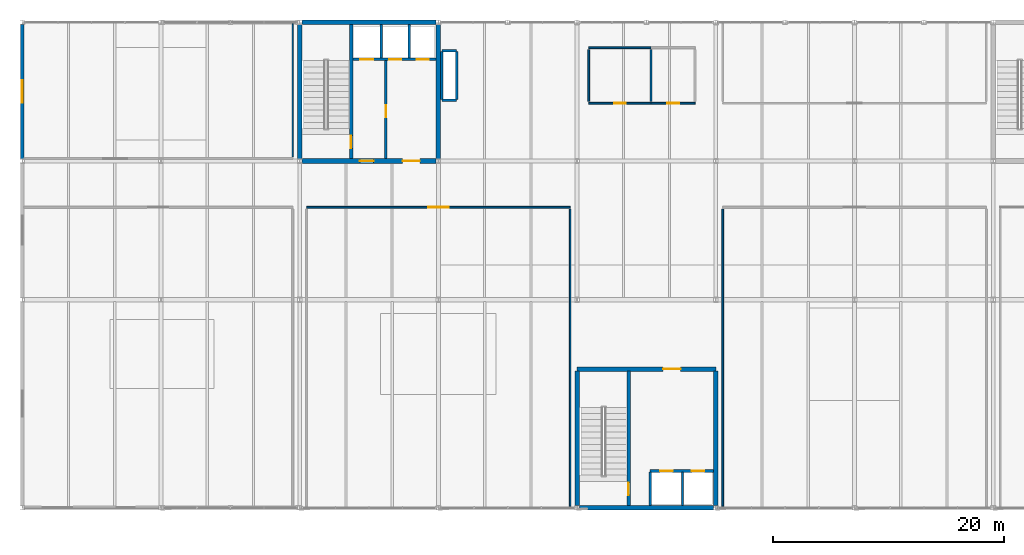
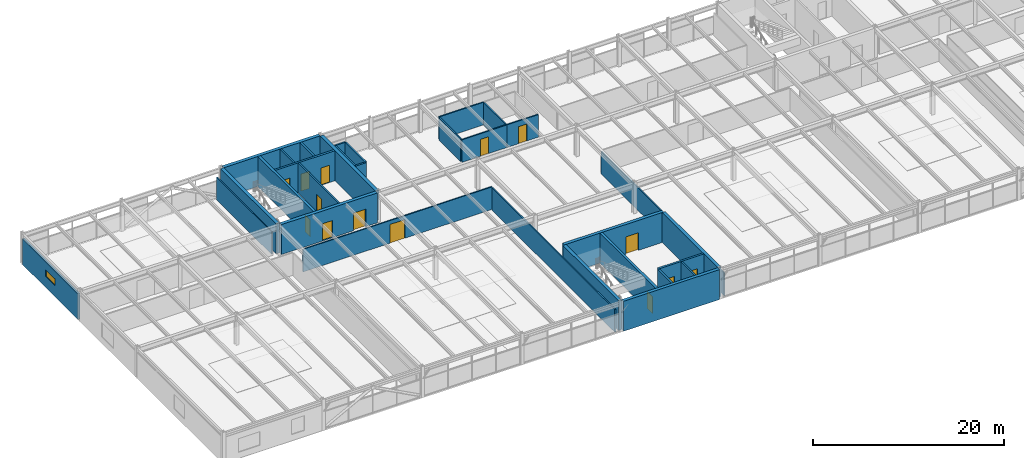
# One storey, part 44 of 51: 31 walls, 14 doors, 1 window, 15 openings.
"""IFC4 building model written with IfcOpenShell, lengths in metres."""

from ifc_helpers import new_model, si_unit, direction, frame, frame_2d, origin, place, context, subcontext, project, spatial, rectangle, extrude, material, layer, layer_set, type_object, element, fill, save


model = new_model("IFC4")

# Units and contexts
model_context = context("Model", 3, precision=1e-05, world=origin(), true_north=direction((0.0, 1.0)))
body_context = subcontext(model_context, "Body", "Model", "MODEL_VIEW")
ifc_project = project(units=[si_unit("LENGTHUNIT", "METRE"), si_unit("AREAUNIT", "SQUARE_METRE"), si_unit("VOLUMEUNIT", "CUBIC_METRE"), si_unit("PLANEANGLEUNIT", "RADIAN"), si_unit("MASSUNIT", "GRAM", prefix="KILO")], contexts=[model_context])

# Site, building, storey
site_placement = place(None, origin())
site = spatial("IfcSite", under=ifc_project, at=site_placement, CompositionType="ELEMENT")
building_placement = place(site_placement, origin())
building = spatial("IfcBuilding", under=site, at=building_placement, Name="Girod Span Mobility Hub", CompositionType="ELEMENT")
storey_placement = place(building_placement, frame((0.0, 0.0, 41.60009765625)))
storey = spatial("IfcBuildingStorey", under=building, at=storey_placement, Name="L10", CompositionType="ELEMENT", Elevation=41.60009765625)

# Wall
ifc_material_1 = material(Name="Concrete C40/50", Category="concrete")
ifc_layer_1 = layer(ifc_material_1, 0.3798828125)
ifc_layer_set_1 = layer_set([ifc_layer_1], Name="Concrete C40/50")
wall_type_1 = type_object("IfcWallType", Name="W-CW-380", PredefinedType="SHEAR", material=ifc_layer_set_1)
wall_1_placement = place(storey_placement, frame((72.194091796875, 27.0, 0.0), z_axis=(0.0, 0.0, 1.0), x_axis=(1.0, 0.0, 0.0)))
element("IfcWall", 1, at=wall_1_placement, inside=storey, type_object=wall_type_1, Name="Core C3 Shear Wall S L10", PredefinedType="SHEAR", context=body_context, shape_type="SweptSolid", body=[
    extrude(rectangle(XDim=11.61181640625, YDim=0.3798828125, at=frame_2d((5.805908203125, 0.0))), origin(), (0.0, 0.0, 1.0), 3.827880859375),
])

# Wall, opening, door
wall_2_placement = place(storey_placement, frame((72.0, 39.0, 0.0), z_axis=(0.0, 0.0, 1.0), x_axis=(1.0, 0.0, 0.0)))
wall_2 = element("IfcWall", 2, at=wall_2_placement, inside=storey, type_object=wall_type_1, Name="Core C3 Shear Wall N L10", PredefinedType="SHEAR", context=body_context, shape_type="SweptSolid", body=[
    extrude(rectangle(XDim=12.0, YDim=0.3798828125, at=frame_2d((6.0, 0.0))), origin(), (0.0, 0.0, 1.0), 3.827880859375),
])
opening_1_placement = place(wall_2_placement, frame((7.449951171875, 0.0, 0.0)))
opening_1 = element("IfcOpeningElement", 3, at=opening_1_placement, cuts=wall_2, Name="Opening D-LB-C3-L10", PredefinedType="OPENING", context=body_context, shape_type="SweptSolid", body=[
    extrude(rectangle(XDim=1.5, YDim=2.25, at=frame_2d((0.75, 1.125))), frame((0.0, 0.204833984375, 0.0), z_axis=(0.0, -1.0, 0.0), x_axis=(1.0, 0.0, 0.0)), (0.0, 0.0, 1.0), 0.409912109375),
])
ifc_material_2 = material(Name="Fire-Rated Insulated Hollow Metal Steel", Category="steel")
door_type_1 = type_object("IfcDoorType", Name="DT-FD-03", OperationType="DOUBLE_DOOR_SINGLE_SWING", PredefinedType="DOOR", material=ifc_material_2)
door_1_placement = place(opening_1_placement, origin())
door_1 = element("IfcDoor", 4, at=door_1_placement, inside=storey, type_object=door_type_1, Name="Core C3 Lobby Door L10", OperationType="DOUBLE_DOOR_SINGLE_SWING", OverallHeight=2.25, OverallWidth=1.5, PredefinedType="DOOR", context=body_context, shape_type="SweptSolid", body=[
    extrude(rectangle(XDim=1.5, YDim=2.25, at=frame_2d((0.75, 1.125))), frame((0.0, 0.02490234375, 0.0), z_axis=(0.0, -1.0, 0.0), x_axis=(1.0, 0.0, 0.0)), (0.0, 0.0, 1.0), 0.050048828125),
])
fill(opening_1, door_1)

# Walls
for number, where, z_axis, x_axis, name in (
    (5, (72.0, 27.1845703125, 0.0), (0.0, 0.0, 1.0), (0.0, 1.0, 0.0), "Core C3 Shear Wall W L10"),
    (6, (84.0, 27.1845703125, 0.0), (0.0, 0.0, 1.0), (0.0, 1.0, 0.0), "Core C3 Shear Wall E L10"),
):
    element("IfcWall", number, at=place(storey_placement, frame(where, z_axis=z_axis, x_axis=x_axis)), inside=storey, type_object=wall_type_1, Name=name, PredefinedType="SHEAR", context=body_context, shape_type="SweptSolid", body=[
        extrude(rectangle(XDim=11.62841796875, YDim=0.3798828125, at=frame_2d((5.814208984375, 0.0))), origin(), (0.0, 0.0, 1.0), 3.827880859375),
    ])

# Wall, openings, doors
ifc_material_3 = material(Name="Concrete C40/50", Category="concrete")
ifc_layer_2 = layer(ifc_material_3, 0.39990234375)
ifc_layer_set_2 = layer_set([ifc_layer_2], Name="Concrete C40/50")
wall_type_2 = type_object("IfcWallType", Name="W-CW-400", PredefinedType="SHEAR", material=ifc_layer_set_2)
wall_3_placement = place(storey_placement, frame((48.196533203125, 57.0, 0.0), z_axis=(0.0, 0.0, 1.0), x_axis=(1.0, 0.0, 0.0)))
wall_3 = element("IfcWall", 7, at=wall_3_placement, inside=storey, type_object=wall_type_2, Name="Core C1 Shear Wall S L10", PredefinedType="SHEAR", context=body_context, shape_type="SweptSolid", body=[
    extrude(rectangle(XDim=11.60693359375, YDim=0.39990234375, at=frame_2d((5.803466796875, 0.0))), origin(), (0.0, 0.0, 1.0), 3.827880859375),
])
opening_2_placement = place(wall_3_placement, frame((5.00390625, 0.0, 0.0)))
opening_2 = element("IfcOpeningElement", 8, at=opening_2_placement, cuts=wall_3, Name="Opening D-FL-C1-L10", PredefinedType="OPENING", context=body_context, shape_type="SweptSolid", body=[
    extrude(rectangle(XDim=1.199951171875, YDim=2.199951171875, at=frame_2d((0.60009765625, 1.10009765625))), frame((0.0, 0.21484375, 0.0), z_axis=(0.0, -1.0, 0.0), x_axis=(1.0, 0.0, 0.0)), (0.0, 0.0, 1.0), 0.429931640625),
])
opening_3_placement = place(wall_3_placement, frame((8.702880859375, 0.0, 0.0)))
opening_3 = element("IfcOpeningElement", 9, at=opening_3_placement, cuts=wall_3, Name="Opening D-LB-C1-L10", PredefinedType="OPENING", context=body_context, shape_type="SweptSolid", body=[
    extrude(rectangle(XDim=1.5, YDim=2.25, at=frame_2d((0.75, 1.125))), frame((0.0, 0.21484375, 0.0), z_axis=(0.0, -1.0, 0.0), x_axis=(1.0, 0.0, 0.0)), (0.0, 0.0, 1.0), 0.429931640625),
])
door_2_placement = place(opening_3_placement, origin())
door_2 = element("IfcDoor", 10, at=door_2_placement, inside=storey, type_object=door_type_1, Name="Lift Lobby Entry Door C1 L10", OperationType="DOUBLE_DOOR_SINGLE_SWING", OverallHeight=2.25, OverallWidth=1.5, PredefinedType="DOOR", context=body_context, shape_type="SweptSolid", body=[
    extrude(rectangle(XDim=1.5, YDim=2.25, at=frame_2d((0.75, 1.125))), frame((0.0, 0.02490234375, 0.0), z_axis=(0.0, -1.0, 0.0), x_axis=(1.0, 0.0, 0.0)), (0.0, 0.0, 1.0), 0.050048828125),
])
fill(opening_3, door_2)
ifc_material_4 = material(Name="Fire-Rated Insulated Hollow Metal Steel", Category="steel")
door_type_2 = type_object("IfcDoorType", Name="DT-FD-05", OperationType="NOTDEFINED", PredefinedType="DOOR", material=ifc_material_4)
door_3_placement = place(opening_2_placement, origin())
door_3 = element("IfcDoor", 11, at=door_3_placement, inside=storey, type_object=door_type_2, Name="Firefighting Lobby Entry Door C1 L10", OperationType="SINGLE_SWING_RIGHT", OverallHeight=2.199951171875, OverallWidth=1.199951171875, PredefinedType="DOOR", context=body_context, shape_type="SweptSolid", body=[
    extrude(rectangle(XDim=1.199951171875, YDim=2.199951171875, at=frame_2d((0.60009765625, 1.10009765625))), frame((0.0, 0.02490234375, 0.0), z_axis=(0.0, -1.0, 0.0), x_axis=(1.0, 0.0, 0.0)), (0.0, 0.0, 1.0), 0.050048828125),
])
fill(opening_2, door_3)

# Walls
wall_4_placement = place(storey_placement, frame((48.196533203125, 69.0, 0.0), z_axis=(0.0, 0.0, 1.0), x_axis=(1.0, 0.0, 0.0)))
element("IfcWall", 12, at=wall_4_placement, inside=storey, type_object=wall_type_2, Name="Core C1 Shear Wall N L10", PredefinedType="SHEAR", context=body_context, shape_type="SweptSolid", body=[
    extrude(rectangle(XDim=11.60693359375, YDim=0.39990234375, at=frame_2d((5.803466796875, 0.0))), origin(), (0.0, 0.0, 1.0), 3.827880859375),
])
for number, where, z_axis, x_axis, name in (
    (13, (48.0, 57.193603515625, 0.0), (0.0, 0.0, 1.0), (0.0, 1.0, 0.0), "Core C1 Shear Wall W L10"),
    (14, (60.0, 57.193603515625, 0.0), (0.0, 0.0, 1.0), (0.0, 1.0, 0.0), "Core C1 Shear Wall E L10"),
):
    element("IfcWall", number, at=place(storey_placement, frame(where, z_axis=z_axis, x_axis=x_axis)), inside=storey, type_object=wall_type_2, Name=name, PredefinedType="SHEAR", context=body_context, shape_type="SweptSolid", body=[
        extrude(rectangle(XDim=11.61279296875, YDim=0.39990234375, at=frame_2d((5.806396484375, 0.0))), origin(), (0.0, 0.0, 1.0), 3.827880859375),
    ])

# Wall, opening, window
ifc_material_5 = material(Name="Precast Architectural Concrete C40/50", Category="concrete")
ifc_layer_3 = layer(ifc_material_5, 0.27001953125)
ifc_layer_set_3 = layer_set([ifc_layer_3], Name="Precast Architectural Concrete C40/50")
wall_type_3 = type_object("IfcWallType", Name="W-EXT-270", PredefinedType="SOLIDWALL", material=ifc_layer_set_3)
wall_5_placement = place(storey_placement, frame((24.0, 57.185546875, 0.0), z_axis=(0.0, 0.0, 1.0), x_axis=(0.0, 1.0, 0.0)))
wall_5 = element("IfcWall", 15, at=wall_5_placement, inside=storey, type_object=wall_type_3, Name="End Facade Insulated Wall W-E L10", PredefinedType="SOLIDWALL", context=body_context, shape_type="SweptSolid", body=[
    extrude(rectangle(XDim=11.62890625, YDim=0.27001953125, at=frame_2d((5.814453125, 0.0))), origin(), (0.0, 0.0, 1.0), 3.281005859375),
])
opening_4_placement = place(wall_5_placement, frame((4.840087890625, 0.0, 1.39990234375)))
opening_4 = element("IfcOpeningElement", 16, at=opening_4_placement, cuts=wall_5, Name="Opening W-L10-W4", PredefinedType="OPENING", context=body_context, shape_type="SweptSolid", body=[
    extrude(rectangle(XDim=1.949951171875, YDim=0.8798828125, at=frame_2d((0.97509765625, 0.43994140625))), frame((0.0, 0.14990234375, 0.0), z_axis=(0.0, -1.0, 0.0), x_axis=(1.0, 0.0, 0.0)), (0.0, 0.0, 1.0), 0.300048828125),
])
ifc_material_6 = material(Name="Double Low-E Insulated Glazing", Category="glass")
window_type = type_object("IfcWindowType", Name="WN-44", PartitioningType="DOUBLE_PANEL_VERTICAL", PredefinedType="USERDEFINED", material=ifc_material_6)
window_placement = place(opening_4_placement, origin())
window = element("IfcWindow", 17, at=window_placement, inside=storey, type_object=window_type, Name="End Office Window WN-44", ObjectType="TRANSOM LIGHT", OverallHeight=0.8798828125, OverallWidth=1.949951171875, PartitioningType="DOUBLE_PANEL_VERTICAL", PredefinedType="USERDEFINED", context=body_context, shape_type="SweptSolid", body=[
    extrude(rectangle(XDim=1.949951171875, YDim=0.8798828125, at=frame_2d((0.97509765625, 0.43994140625))), frame((0.0, 0.030029296875, 0.0), z_axis=(0.0, -1.0, 0.0), x_axis=(1.0, 0.0, 0.0)), (0.0, 0.0, 1.0), 0.06005859375),
])
fill(opening_4, window)

# Wall, opening, door
ifc_material_7 = material(Name="Concrete C40/50", Category="concrete")
ifc_layer_4 = layer(ifc_material_7, 0.18994140625)
ifc_layer_set_4 = layer_set([ifc_layer_4], Name="Concrete C40/50")
wall_type_4 = type_object("IfcWallType", Name="W-FL-190", PredefinedType="SOLIDWALL", material=ifc_layer_set_4)
wall_6_placement = place(storey_placement, frame((55.449951171875, 57.199951171875, 0.0), z_axis=(0.0, 0.0, 1.0), x_axis=(0.0, 1.0, 0.0)))
wall_6 = element("IfcWall", 18, at=wall_6_placement, inside=storey, type_object=wall_type_4, Name="Core C1 Firefighting Lobby Wall L10", PredefinedType="SOLIDWALL", context=body_context, shape_type="SweptSolid", body=[
    extrude(rectangle(XDim=8.47998046875, YDim=0.18994140625, at=frame_2d((4.239990234375, 0.0))), origin(), (0.0, 0.0, 1.0), 3.81787109375),
])
opening_5_placement = place(wall_6_placement, frame((3.60009765625, 0.0, 0.0)))
opening_5 = element("IfcOpeningElement", 19, at=opening_5_placement, cuts=wall_6, Name="Opening D-FLX-C1-L10", PredefinedType="OPENING", context=body_context, shape_type="SweptSolid", body=[
    extrude(rectangle(XDim=1.0400390625, YDim=2.179931640625, at=frame_2d((0.52001953125, 1.08984375))), frame((0.0, 0.10986328125, 0.0), z_axis=(0.0, -1.0, 0.0), x_axis=(1.0, 0.0, 0.0)), (0.0, 0.0, 1.0), 0.219970703125),
])
ifc_material_8 = material(Name="Fire-Rated Insulated Hollow Metal Steel", Category="steel")
door_type_3 = type_object("IfcDoorType", Name="DT-FD-02", OperationType="NOTDEFINED", PredefinedType="DOOR", material=ifc_material_8)
door_4_placement = place(opening_5_placement, origin())
door_4 = element("IfcDoor", 20, at=door_4_placement, inside=storey, type_object=door_type_3, Name="Firefighting Lobby Interconnect Door C1 L10", OperationType="SINGLE_SWING_RIGHT", OverallHeight=2.179931640625, OverallWidth=1.0400390625, PredefinedType="DOOR", context=body_context, shape_type="SweptSolid", body=[
    extrude(rectangle(XDim=1.0400390625, YDim=2.179931640625, at=frame_2d((0.52001953125, 1.08984375))), frame((0.0, 0.02490234375, 0.0), z_axis=(0.0, -1.0, 0.0), x_axis=(1.0, 0.0, 0.0)), (0.0, 0.0, 1.0), 0.050048828125),
])
fill(opening_5, door_4)

ifc_material_9 = material(Name="Fire-Rated Gypsum Board on Metal Studs", Category="gypsum")
ifc_layer_5 = layer(ifc_material_9, 0.155029296875)
ifc_layer_set_5 = layer_set([ifc_layer_5], Name="Fire-Rated Gypsum Board on Metal Studs")
wall_type_5 = type_object("IfcWallType", Name="W-PLB-155", PredefinedType="PLUMBINGWALL", material=ifc_layer_set_5)
wall_7_placement = place(storey_placement, frame((73.0, 62.0, 0.0), z_axis=(0.0, 0.0, 1.0), x_axis=(1.0, 0.0, 0.0)))
wall_7 = element("IfcWall", 21, at=wall_7_placement, inside=storey, type_object=wall_type_5, Name="Restroom L10 Partition S", PredefinedType="PLUMBINGWALL", context=body_context, shape_type="SweptSolid", body=[
    extrude(rectangle(XDim=5.39990234375, YDim=0.155029296875, at=frame_2d((2.699951171875, 0.0))), origin(), (0.0, 0.0, 1.0), 2.8798828125),
])
opening_6_placement = place(wall_7_placement, frame((2.205078125, 0.0, 0.0)))
opening_6 = element("IfcOpeningElement", 22, at=opening_6_placement, cuts=wall_7, Name="Opening D-L10-WC-MAIN", PredefinedType="OPENING", context=body_context, shape_type="SweptSolid", body=[
    extrude(rectangle(XDim=0.989990234375, YDim=2.14990234375, at=frame_2d((0.4951171875, 1.074951171875))), frame((0.0, 0.092529296875, 0.0), z_axis=(0.0, -1.0, 0.0), x_axis=(1.0, 0.0, 0.0)), (0.0, 0.0, 1.0), 0.18505859375),
])
ifc_material_10 = material(Name="Solid-Core Architectural Timber", Category="wood")
door_type_4 = type_object("IfcDoorType", Name="DT-NR-03", OperationType="NOTDEFINED", PredefinedType="DOOR", material=ifc_material_10)
door_5_placement = place(opening_6_placement, origin())
door_5 = element("IfcDoor", 23, at=door_5_placement, inside=storey, type_object=door_type_4, Name="Restroom L10 Door", OperationType="SINGLE_SWING_LEFT", OverallHeight=2.14990234375, OverallWidth=0.989990234375, PredefinedType="DOOR", context=body_context, shape_type="SweptSolid", body=[
    extrude(rectangle(XDim=0.989990234375, YDim=2.14990234375, at=frame_2d((0.4951171875, 1.074951171875))), frame((0.0, 0.02490234375, 0.0), z_axis=(0.0, -1.0, 0.0), x_axis=(1.0, 0.0, 0.0)), (0.0, 0.0, 1.0), 0.050048828125),
])
fill(opening_6, door_5)

# Walls
wall_8_placement = place(storey_placement, frame((73.0, 66.800048828125, 0.0), z_axis=(0.0, 0.0, 1.0), x_axis=(1.0, 0.0, 0.0)))
element("IfcWall", 24, at=wall_8_placement, inside=storey, type_object=wall_type_5, Name="Restroom L10 Partition N", PredefinedType="PLUMBINGWALL", context=body_context, shape_type="SweptSolid", body=[
    extrude(rectangle(XDim=5.39990234375, YDim=0.155029296875, at=frame_2d((2.699951171875, 0.0))), origin(), (0.0, 0.0, 1.0), 2.8798828125),
])
for number, where, z_axis, x_axis, name in (
    (25, (73.0, 62.159912109375, 0.0), (0.0, 0.0, 1.0), (0.0, 1.0, 0.0), "Restroom L10 Partition W"),
    (26, (78.39990234375, 62.159912109375, 0.0), (0.0, 0.0, 1.0), (0.0, 1.0, 0.0), "Restroom L10 Partition E"),
):
    element("IfcWall", number, at=place(storey_placement, frame(where, z_axis=z_axis, x_axis=x_axis)), inside=storey, type_object=wall_type_5, Name=name, PredefinedType="PLUMBINGWALL", context=body_context, shape_type="SweptSolid", body=[
        extrude(rectangle(XDim=4.47998046875, YDim=0.155029296875, at=frame_2d((2.239990234375, 0.0))), origin(), (0.0, 0.0, 1.0), 2.8798828125),
    ])

# Wall, opening, door
wall_9_placement = place(storey_placement, frame((78.39990234375, 62.0, 0.0), z_axis=(0.0, 0.0, 1.0), x_axis=(1.0, 0.0, 0.0)))
wall_9 = element("IfcWall", 27, at=wall_9_placement, inside=storey, type_object=wall_type_5, Name="Accessible WC L10 Partition S", PredefinedType="PLUMBINGWALL", context=body_context, shape_type="SweptSolid", body=[
    extrude(rectangle(XDim=3.800048828125, YDim=0.155029296875, at=frame_2d((1.89990234375, 0.0))), origin(), (0.0, 0.0, 1.0), 2.8798828125),
])
opening_7_placement = place(wall_9_placement, frame((1.385009765625, 0.0, 0.0)))
opening_7 = element("IfcOpeningElement", 28, at=opening_7_placement, cuts=wall_9, Name="Opening D-L10-WC-ACC", PredefinedType="OPENING", context=body_context, shape_type="SweptSolid", body=[
    extrude(rectangle(XDim=1.030029296875, YDim=2.169921875, at=frame_2d((0.51513671875, 1.0849609375))), frame((0.0, 0.092529296875, 0.0), z_axis=(0.0, -1.0, 0.0), x_axis=(1.0, 0.0, 0.0)), (0.0, 0.0, 1.0), 0.18505859375),
])
ifc_material_11 = material(Name="Solid-Core Architectural Timber", Category="wood")
door_type_5 = type_object("IfcDoorType", Name="DT-NR-04", OperationType="NOTDEFINED", PredefinedType="DOOR", material=ifc_material_11)
door_6_placement = place(opening_7_placement, origin())
door_6 = element("IfcDoor", 29, at=door_6_placement, inside=storey, type_object=door_type_5, Name="Accessible WC L10 Door", OperationType="SINGLE_SWING_RIGHT", OverallHeight=2.169921875, OverallWidth=1.030029296875, PredefinedType="DOOR", context=body_context, shape_type="SweptSolid", body=[
    extrude(rectangle(XDim=1.030029296875, YDim=2.169921875, at=frame_2d((0.51513671875, 1.0849609375))), frame((0.0, 0.02490234375, 0.0), z_axis=(0.0, -1.0, 0.0), x_axis=(1.0, 0.0, 0.0)), (0.0, 0.0, 1.0), 0.050048828125),
])
fill(opening_7, door_6)

# Wall
ifc_material_12 = material(Name="Fire-Rated Gypsum Board on Metal Studs", Category="gypsum")
ifc_layer_6 = layer(ifc_material_12, 0.125)
ifc_layer_set_6 = layer_set([ifc_layer_6], Name="Fire-Rated Gypsum Board on Metal Studs")
wall_type_6 = type_object("IfcWallType", Name="W-PT-125", PredefinedType="PARTITIONING", material=ifc_layer_set_6)
wall_10_placement = place(storey_placement, frame((47.39990234375, 57.360107421875, 0.0), z_axis=(0.0, 0.0, 1.0), x_axis=(0.0, 1.0, 0.0)))
element("IfcWall", 30, at=wall_10_placement, inside=storey, type_object=wall_type_6, Name="Engineering Studio West L10 Partition E", PredefinedType="PARTITIONING", context=body_context, shape_type="SweptSolid", body=[
    extrude(rectangle(XDim=11.5, YDim=0.125, at=frame_2d((5.75, 0.0))), origin(), (0.0, 0.0, 1.0), 2.8798828125),
])

# Wall, opening, door
ifc_material_13 = material(Name="Fire-Rated Gypsum Board on Metal Studs", Category="gypsum")
ifc_layer_7 = layer(ifc_material_13, 0.139892578125)
ifc_layer_set_7 = layer_set([ifc_layer_7], Name="Fire-Rated Gypsum Board on Metal Studs")
wall_type_7 = type_object("IfcWallType", Name="W-PT-140", PredefinedType="PARTITIONING", material=ifc_layer_set_7)
wall_11_placement = place(storey_placement, frame((48.60009765625, 53.0, 0.0), z_axis=(0.0, 0.0, 1.0), x_axis=(1.0, 0.0, 0.0)))
wall_11 = element("IfcWall", 31, at=wall_11_placement, inside=storey, type_object=wall_type_7, Name="Conference Room West L10 Partition N", PredefinedType="PARTITIONING", context=body_context, shape_type="SweptSolid", body=[
    extrude(rectangle(XDim=22.7998046875, YDim=0.139892578125, at=frame_2d((11.39990234375, 0.0))), origin(), (0.0, 0.0, 1.0), 2.8798828125),
])
opening_8_placement = place(wall_11_placement, frame((10.5048828125, 0.0, 0.0)))
opening_8 = element("IfcOpeningElement", 32, at=opening_8_placement, cuts=wall_11, Name="Opening D-L10-CONF-SW", PredefinedType="OPENING", context=body_context, shape_type="SweptSolid", body=[
    extrude(rectangle(XDim=1.7900390625, YDim=2.389892578125, at=frame_2d((0.89501953125, 1.19482421875))), frame((0.0, 0.0849609375, 0.0), z_axis=(0.0, -1.0, 0.0), x_axis=(1.0, 0.0, 0.0)), (0.0, 0.0, 1.0), 0.169921875),
])
ifc_material_14 = material(Name="Solid-Core Architectural Timber", Category="wood")
door_type_6 = type_object("IfcDoorType", Name="DT-NR-18", OperationType="DOUBLE_DOOR_SINGLE_SWING", PredefinedType="DOOR", material=ifc_material_14)
door_7_placement = place(opening_8_placement, origin())
door_7 = element("IfcDoor", 33, at=door_7_placement, inside=storey, type_object=door_type_6, Name="Conference Room West L10 Door", OperationType="DOUBLE_DOOR_SINGLE_SWING", OverallHeight=2.389892578125, OverallWidth=1.7900390625, PredefinedType="DOOR", context=body_context, shape_type="SweptSolid", body=[
    extrude(rectangle(XDim=1.7900390625, YDim=2.389892578125, at=frame_2d((0.89501953125, 1.19482421875))), frame((0.0, 0.02490234375, 0.0), z_axis=(0.0, -1.0, 0.0), x_axis=(1.0, 0.0, 0.0)), (0.0, 0.0, 1.0), 0.050048828125),
])
fill(opening_8, door_7)

# Walls
for number, where, z_axis, x_axis, name in (
    (34, (71.39990234375, 27.139892578125, 0.0), (0.0, 0.0, 1.0), (0.0, 1.0, 0.0), "Conference Room West L10 Partition E"),
    (35, (84.60009765625, 27.139892578125, 0.0), (0.0, 0.0, 1.0), (0.0, 1.0, 0.0), "Planning Studio South L10 Partition W"),
):
    element("IfcWall", number, at=place(storey_placement, frame(where, z_axis=z_axis, x_axis=x_axis)), inside=storey, type_object=wall_type_7, Name=name, PredefinedType="PARTITIONING", context=body_context, shape_type="SweptSolid", body=[
        extrude(rectangle(XDim=25.7001953125, YDim=0.139892578125, at=frame_2d((12.85009765625, 0.0))), origin(), (0.0, 0.0, 1.0), 2.8798828125),
    ])
ifc_material_15 = material(Name="Concrete C40/50", Category="concrete")
ifc_layer_8 = layer(ifc_material_15, 0.199951171875)
ifc_layer_set_8 = layer_set([ifc_layer_8], Name="Concrete C40/50")
wall_type_8 = type_object("IfcWallType", Name="W-SH-200", PredefinedType="SOLIDWALL", material=ifc_layer_set_8)
for number, where, z_axis, x_axis, name in (
    (36, (60.297119140625, 62.25, 0.0), (0.0, 0.0, 1.0), (1.0, 0.0, 0.0), "Sanitary Wet Riser Shaft Wall S L10"),
    (37, (60.297119140625, 66.550048828125, 0.0), (0.0, 0.0, 1.0), (1.0, 0.0, 0.0), "Sanitary Wet Riser Shaft Wall N L10"),
):
    element("IfcWall", number, at=place(storey_placement, frame(where, z_axis=z_axis, x_axis=x_axis)), inside=storey, type_object=wall_type_8, Name=name, PredefinedType="SOLIDWALL", context=body_context, shape_type="SweptSolid", body=[
        extrude(rectangle(XDim=1.282958984375, YDim=0.199951171875, at=frame_2d((0.6416015625, 0.0))), origin(), (0.0, 0.0, 1.0), 3.827880859375),
    ])
for number, where, z_axis, x_axis, name in (
    (38, (60.297119140625, 62.330078125, 0.0), (0.0, 0.0, 1.0), (0.0, 1.0, 0.0), "Sanitary Wet Riser Shaft Wall W L10"),
    (39, (61.580078125, 62.330078125, 0.0), (0.0, 0.0, 1.0), (0.0, 1.0, 0.0), "Sanitary Wet Riser Shaft Wall E L10"),
):
    element("IfcWall", number, at=place(storey_placement, frame(where, z_axis=z_axis, x_axis=x_axis)), inside=storey, type_object=wall_type_8, Name=name, PredefinedType="SOLIDWALL", context=body_context, shape_type="SweptSolid", body=[
        extrude(rectangle(XDim=4.139892578125, YDim=0.199951171875, at=frame_2d((2.06982421875, 0.0))), origin(), (0.0, 0.0, 1.0), 3.827880859375),
    ])
for number, where, z_axis, x_axis, name in (
    (40, (55.050048828125, 65.919921875, 0.0), (0.0, 0.0, 1.0), (0.0, 1.0, 0.0), "Core C1 Shaft Divider 1 L10"),
    (41, (57.47998046875, 65.919921875, 0.0), (0.0, 0.0, 1.0), (0.0, 1.0, 0.0), "Core C1 Shaft Divider 2 L10"),
):
    element("IfcWall", number, at=place(storey_placement, frame(where, z_axis=z_axis, x_axis=x_axis)), inside=storey, type_object=wall_type_8, Name=name, PredefinedType="SOLIDWALL", context=body_context, shape_type="SweptSolid", body=[
        extrude(rectangle(XDim=2.880126953125, YDim=0.199951171875, at=frame_2d((1.43994140625, 0.0))), origin(), (0.0, 0.0, 1.0), 3.81787109375),
    ])
for number, where, z_axis, x_axis, name in (
    (42, (78.320068359375, 27.18994140625, 0.0), (0.0, 0.0, 1.0), (0.0, 1.0, 0.0), "Core C3 Shaft Divider 1 L10"),
    (43, (81.1201171875, 27.18994140625, 0.0), (0.0, 0.0, 1.0), (0.0, 1.0, 0.0), "Core C3 Shaft Divider 2 L10"),
):
    element("IfcWall", number, at=place(storey_placement, frame(where, z_axis=z_axis, x_axis=x_axis)), inside=storey, type_object=wall_type_8, Name=name, PredefinedType="SOLIDWALL", context=body_context, shape_type="SweptSolid", body=[
        extrude(rectangle(XDim=2.89013671875, YDim=0.199951171875, at=frame_2d((1.445068359375, 0.0))), origin(), (0.0, 0.0, 1.0), 3.81787109375),
    ])

# Wall, openings, doors
ifc_material_16 = material(Name="Concrete C40/50", Category="concrete")
ifc_layer_9 = layer(ifc_material_16, 0.25)
ifc_layer_set_9 = layer_set([ifc_layer_9], Name="Concrete C40/50")
wall_type_9 = type_object("IfcWallType", Name="W-SH-250", PredefinedType="SOLIDWALL", material=ifc_layer_set_9)
wall_12_placement = place(storey_placement, frame((52.596923828125, 65.800048828125, 0.0), z_axis=(0.0, 0.0, 1.0), x_axis=(1.0, 0.0, 0.0)))
wall_12 = element("IfcWall", 44, at=wall_12_placement, inside=storey, type_object=wall_type_9, Name="Core C1 Hoistway Front Wall L10", PredefinedType="SOLIDWALL", context=body_context, shape_type="SweptSolid", body=[
    extrude(rectangle(XDim=7.2060546875, YDim=0.25, at=frame_2d((3.60302734375, 0.0))), origin(), (0.0, 0.0, 1.0), 3.827880859375),
])
opening_9_placement = place(wall_12_placement, frame((0.653076171875, 0.0, 0.0)))
opening_9 = element("IfcOpeningElement", 45, at=opening_9_placement, cuts=wall_12, Name="Opening LD-FL-1-L10", PredefinedType="OPENING", context=body_context, shape_type="SweptSolid", body=[
    extrude(rectangle(XDim=1.10009765625, YDim=2.239990234375, at=frame_2d((0.550048828125, 1.1201171875))), frame((0.0, 0.139892578125, 0.0), z_axis=(0.0, -1.0, 0.0), x_axis=(1.0, 0.0, 0.0)), (0.0, 0.0, 1.0), 0.280029296875),
])
opening_10_placement = place(wall_12_placement, frame((3.153076171875, 0.0, 0.0)))
opening_10 = element("IfcOpeningElement", 46, at=opening_10_placement, cuts=wall_12, Name="Opening LD-LP-1-L10", PredefinedType="OPENING", context=body_context, shape_type="SweptSolid", body=[
    extrude(rectangle(XDim=1.050048828125, YDim=2.199951171875, at=frame_2d((0.52490234375, 1.10009765625))), frame((0.0, 0.139892578125, 0.0), z_axis=(0.0, -1.0, 0.0), x_axis=(1.0, 0.0, 0.0)), (0.0, 0.0, 1.0), 0.280029296875),
])
opening_11_placement = place(wall_12_placement, frame((5.528076171875, 0.0, 0.0)))
opening_11 = element("IfcOpeningElement", 47, at=opening_11_placement, cuts=wall_12, Name="Opening LD-LP-2-L10", PredefinedType="OPENING", context=body_context, shape_type="SweptSolid", body=[
    extrude(rectangle(XDim=1.050048828125, YDim=2.199951171875, at=frame_2d((0.52490234375, 1.10009765625))), frame((0.0, 0.139892578125, 0.0), z_axis=(0.0, -1.0, 0.0), x_axis=(1.0, 0.0, 0.0)), (0.0, 0.0, 1.0), 0.280029296875),
])
ifc_material_17 = material(Name="Brushed Stainless Steel Grade 304", Category="steel")
door_type_7 = type_object("IfcDoorType", Name="LD-FL-110", OperationType="SLIDING_TO_LEFT", PredefinedType="USERDEFINED", material=ifc_material_17)
door_8_placement = place(opening_9_placement, origin())
door_8 = element("IfcDoor", 48, at=door_8_placement, inside=storey, type_object=door_type_7, Name="Lift FL-1 Sliding Landing Door L10", ObjectType="LANDING DOOR", OperationType="SLIDING_TO_LEFT", OverallHeight=2.239990234375, OverallWidth=1.10009765625, PredefinedType="USERDEFINED", context=body_context, shape_type="SweptSolid", body=[
    extrude(rectangle(XDim=1.10009765625, YDim=2.239990234375, at=frame_2d((0.550048828125, 1.1201171875))), frame((0.0, 0.02490234375, 0.0), z_axis=(0.0, -1.0, 0.0), x_axis=(1.0, 0.0, 0.0)), (0.0, 0.0, 1.0), 0.050048828125),
])
fill(opening_9, door_8)
ifc_material_18 = material(Name="Brushed Stainless Steel Grade 304", Category="steel")
door_type_8 = type_object("IfcDoorType", Name="LD-LP-105", OperationType="SLIDING_TO_LEFT", PredefinedType="USERDEFINED", material=ifc_material_18)
door_9_placement = place(opening_10_placement, origin())
door_9 = element("IfcDoor", 49, at=door_9_placement, inside=storey, type_object=door_type_8, Name="Lift LP-1 Sliding Landing Door L10", ObjectType="LANDING DOOR", OperationType="SLIDING_TO_LEFT", OverallHeight=2.199951171875, OverallWidth=1.050048828125, PredefinedType="USERDEFINED", context=body_context, shape_type="SweptSolid", body=[
    extrude(rectangle(XDim=1.050048828125, YDim=2.199951171875, at=frame_2d((0.52490234375, 1.10009765625))), frame((0.0, 0.02490234375, 0.0), z_axis=(0.0, -1.0, 0.0), x_axis=(1.0, 0.0, 0.0)), (0.0, 0.0, 1.0), 0.050048828125),
])
fill(opening_10, door_9)
door_10_placement = place(opening_11_placement, origin())
door_10 = element("IfcDoor", 50, at=door_10_placement, inside=storey, type_object=door_type_8, Name="Lift LP-2 Sliding Landing Door L10", ObjectType="LANDING DOOR", OperationType="SLIDING_TO_LEFT", OverallHeight=2.199951171875, OverallWidth=1.050048828125, PredefinedType="USERDEFINED", context=body_context, shape_type="SweptSolid", body=[
    extrude(rectangle(XDim=1.050048828125, YDim=2.199951171875, at=frame_2d((0.52490234375, 1.10009765625))), frame((0.0, 0.02490234375, 0.0), z_axis=(0.0, -1.0, 0.0), x_axis=(1.0, 0.0, 0.0)), (0.0, 0.0, 1.0), 0.050048828125),
])
fill(opening_11, door_10)

wall_13_placement = place(storey_placement, frame((78.320068359375, 30.199951171875, 0.0), z_axis=(0.0, 0.0, 1.0), x_axis=(1.0, 0.0, 0.0)))
wall_13 = element("IfcWall", 51, at=wall_13_placement, inside=storey, type_object=wall_type_9, Name="Core C3 Hoistway Front Wall L10", PredefinedType="SOLIDWALL", context=body_context, shape_type="SweptSolid", body=[
    extrude(rectangle(XDim=5.492919921875, YDim=0.25, at=frame_2d((2.74658203125, 0.0))), origin(), (0.0, 0.0, 1.0), 3.827880859375),
])
opening_12_placement = place(wall_13_placement, frame((0.860107421875, 0.0, 0.0)))
opening_12 = element("IfcOpeningElement", 52, at=opening_12_placement, cuts=wall_13, Name="Opening LD-LP-5-L10", PredefinedType="OPENING", context=body_context, shape_type="SweptSolid", body=[
    extrude(rectangle(XDim=1.080078125, YDim=2.219970703125, at=frame_2d((0.5400390625, 1.10986328125))), frame((0.0, 0.139892578125, 0.0), z_axis=(0.0, -1.0, 0.0), x_axis=(1.0, 0.0, 0.0)), (0.0, 0.0, 1.0), 0.280029296875),
])
opening_13_placement = place(wall_13_placement, frame((3.610107421875, 0.0, 0.0)))
opening_13 = element("IfcOpeningElement", 53, at=opening_13_placement, cuts=wall_13, Name="Opening LD-LP-6-L10", PredefinedType="OPENING", context=body_context, shape_type="SweptSolid", body=[
    extrude(rectangle(XDim=1.080078125, YDim=2.219970703125, at=frame_2d((0.5400390625, 1.10986328125))), frame((0.0, 0.139892578125, 0.0), z_axis=(0.0, -1.0, 0.0), x_axis=(1.0, 0.0, 0.0)), (0.0, 0.0, 1.0), 0.280029296875),
])
ifc_material_19 = material(Name="Brushed Stainless Steel Grade 304", Category="steel")
door_type_9 = type_object("IfcDoorType", Name="LD-LP-108", OperationType="SLIDING_TO_LEFT", PredefinedType="USERDEFINED", material=ifc_material_19)
door_11_placement = place(opening_12_placement, origin())
door_11 = element("IfcDoor", 54, at=door_11_placement, inside=storey, type_object=door_type_9, Name="Lift LP-5 Sliding Landing Door L10", ObjectType="LANDING DOOR", OperationType="SLIDING_TO_LEFT", OverallHeight=2.219970703125, OverallWidth=1.080078125, PredefinedType="USERDEFINED", context=body_context, shape_type="SweptSolid", body=[
    extrude(rectangle(XDim=1.080078125, YDim=2.219970703125, at=frame_2d((0.5400390625, 1.10986328125))), frame((0.0, 0.02490234375, 0.0), z_axis=(0.0, -1.0, 0.0), x_axis=(1.0, 0.0, 0.0)), (0.0, 0.0, 1.0), 0.050048828125),
])
fill(opening_12, door_11)
door_12_placement = place(opening_13_placement, origin())
door_12 = element("IfcDoor", 55, at=door_12_placement, inside=storey, type_object=door_type_9, Name="Lift LP-6 Sliding Landing Door L10", ObjectType="LANDING DOOR", OperationType="SLIDING_TO_LEFT", OverallHeight=2.219970703125, OverallWidth=1.080078125, PredefinedType="USERDEFINED", context=body_context, shape_type="SweptSolid", body=[
    extrude(rectangle(XDim=1.080078125, YDim=2.219970703125, at=frame_2d((0.5400390625, 1.10986328125))), frame((0.0, 0.02490234375, 0.0), z_axis=(0.0, -1.0, 0.0), x_axis=(1.0, 0.0, 0.0)), (0.0, 0.0, 1.0), 0.050048828125),
])
fill(opening_13, door_12)

# Wall, opening, door
ifc_material_20 = material(Name="Concrete C40/50", Category="concrete")
ifc_layer_10 = layer(ifc_material_20, 0.300048828125)
ifc_layer_set_10 = layer_set([ifc_layer_10], Name="Concrete C40/50")
wall_type_10 = type_object("IfcWallType", Name="W-SH-300", PredefinedType="SHEAR", material=ifc_layer_set_10)
wall_14_placement = place(storey_placement, frame((52.449951171875, 57.197021484375, 0.0), z_axis=(0.0, 0.0, 1.0), x_axis=(0.0, 1.0, 0.0)))
wall_14 = element("IfcWall", 56, at=wall_14_placement, inside=storey, type_object=wall_type_10, Name="Core C1 Stairwell Spine Wall L10", PredefinedType="SHEAR", context=body_context, shape_type="SweptSolid", body=[
    extrude(rectangle(XDim=11.60595703125, YDim=0.300048828125, at=frame_2d((5.802978515625, 0.0))), origin(), (0.0, 0.0, 1.0), 3.827880859375),
])
opening_14_placement = place(wall_14_placement, frame((0.89990234375, 0.0, 0.0)))
opening_14 = element("IfcOpeningElement", 57, at=opening_14_placement, cuts=wall_14, Name="Opening D-ST-1-L10", PredefinedType="OPENING", context=body_context, shape_type="SweptSolid", body=[
    extrude(rectangle(XDim=1.10009765625, YDim=2.199951171875, at=frame_2d((0.550048828125, 1.10009765625))), frame((0.0, 0.1650390625, 0.0), z_axis=(0.0, -1.0, 0.0), x_axis=(1.0, 0.0, 0.0)), (0.0, 0.0, 1.0), 0.330078125),
])
ifc_material_21 = material(Name="Fire-Rated Insulated Hollow Metal Steel", Category="steel")
door_type_10 = type_object("IfcDoorType", Name="DT-FD-01", OperationType="NOTDEFINED", PredefinedType="DOOR", material=ifc_material_21)
door_13_placement = place(opening_14_placement, origin())
door_13 = element("IfcDoor", 58, at=door_13_placement, inside=storey, type_object=door_type_10, Name="Stair ST-1 Fire Door L10", OperationType="SINGLE_SWING_LEFT", OverallHeight=2.199951171875, OverallWidth=1.10009765625, PredefinedType="DOOR", context=body_context, shape_type="SweptSolid", body=[
    extrude(rectangle(XDim=1.10009765625, YDim=2.199951171875, at=frame_2d((0.550048828125, 1.10009765625))), frame((0.0, 0.02490234375, 0.0), z_axis=(0.0, -1.0, 0.0), x_axis=(1.0, 0.0, 0.0)), (0.0, 0.0, 1.0), 0.050048828125),
])
fill(opening_14, door_13)

wall_15_placement = place(storey_placement, frame((76.449951171875, 27.18701171875, 0.0), z_axis=(0.0, 0.0, 1.0), x_axis=(0.0, 1.0, 0.0)))
wall_15 = element("IfcWall", 59, at=wall_15_placement, inside=storey, type_object=wall_type_10, Name="Core C3 Stairwell Spine Wall L10", PredefinedType="SHEAR", context=body_context, shape_type="SweptSolid", body=[
    extrude(rectangle(XDim=11.6259765625, YDim=0.300048828125, at=frame_2d((5.81298828125, 0.0))), origin(), (0.0, 0.0, 1.0), 3.827880859375),
])
opening_15_placement = place(wall_15_placement, frame((0.89990234375, 0.0, 0.0)))
opening_15 = element("IfcOpeningElement", 60, at=opening_15_placement, cuts=wall_15, Name="Opening D-ST-3-L10", PredefinedType="OPENING", context=body_context, shape_type="SweptSolid", body=[
    extrude(rectangle(XDim=1.10009765625, YDim=2.199951171875, at=frame_2d((0.550048828125, 1.10009765625))), frame((0.0, 0.1650390625, 0.0), z_axis=(0.0, -1.0, 0.0), x_axis=(1.0, 0.0, 0.0)), (0.0, 0.0, 1.0), 0.330078125),
])
door_14_placement = place(opening_15_placement, origin())
door_14 = element("IfcDoor", 61, at=door_14_placement, inside=storey, type_object=door_type_10, Name="Stair ST-3 Fire Door L10", OperationType="SINGLE_SWING_LEFT", OverallHeight=2.199951171875, OverallWidth=1.10009765625, PredefinedType="DOOR", context=body_context, shape_type="SweptSolid", body=[
    extrude(rectangle(XDim=1.10009765625, YDim=2.199951171875, at=frame_2d((0.550048828125, 1.10009765625))), frame((0.0, 0.02490234375, 0.0), z_axis=(0.0, -1.0, 0.0), x_axis=(1.0, 0.0, 0.0)), (0.0, 0.0, 1.0), 0.050048828125),
])
fill(opening_15, door_14)

save(model, "model.ifc")
